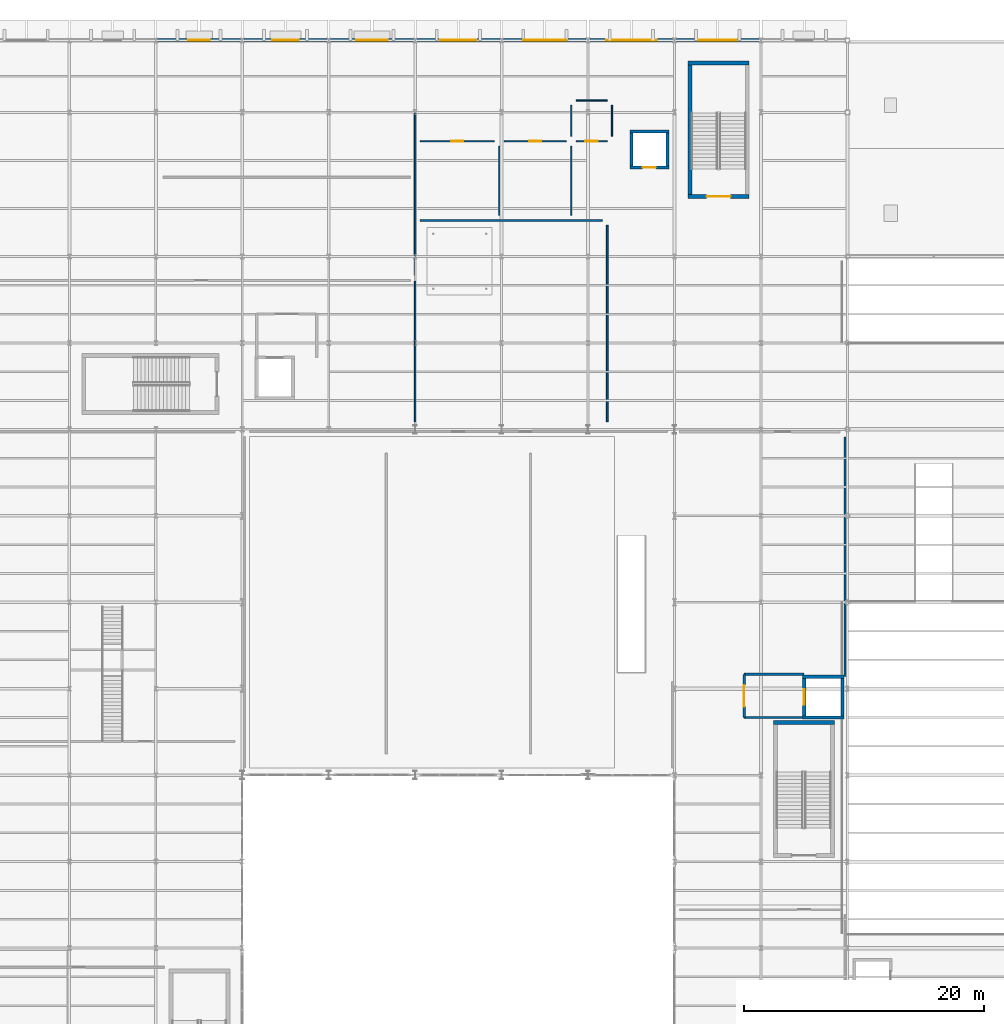
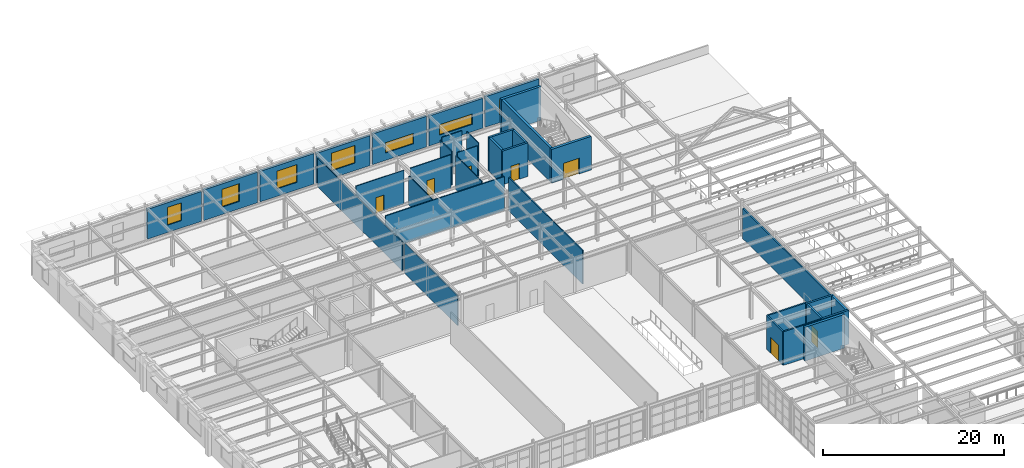
# One storey, part 107 of 126: 35 walls, 7 doors, 7 windows, 14 openings.
"""IFC4 building model written with IfcOpenShell, lengths in metres."""

from ifc_helpers import new_model, si_unit, direction, frame, frame_2d, origin, place, context, subcontext, project, spatial, rectangle, extrude, material, layer, layer_set, type_object, element, fill, save


model = new_model("IFC4")

# Units and contexts
model_context = context("Model", 3, precision=1e-05, world=origin(), true_north=direction((0.0, 1.0)))
body_context = subcontext(model_context, "Body", "Model", "MODEL_VIEW")
ifc_project = project(units=[si_unit("LENGTHUNIT", "METRE"), si_unit("AREAUNIT", "SQUARE_METRE"), si_unit("VOLUMEUNIT", "CUBIC_METRE"), si_unit("PLANEANGLEUNIT", "RADIAN"), si_unit("MASSUNIT", "GRAM", prefix="KILO")], contexts=[model_context])

# Site, building, storey
site_placement = place(None, origin())
site = spatial("IfcSite", under=ifc_project, at=site_placement, CompositionType="ELEMENT")
building_placement = place(site_placement, origin())
building = spatial("IfcBuilding", under=site, at=building_placement, Name="Solvadek Multi-Sports Hall", CompositionType="ELEMENT")
storey_placement = place(building_placement, frame((0.0, 0.0, 9.60009765625)))
storey = spatial("IfcBuildingStorey", under=building, at=storey_placement, Name="L02", CompositionType="ELEMENT", Elevation=9.60009765625)

# Wall, opening, window
ifc_material_1 = material(Name="Dressed honey-cream limestone ashlar", Category="masonry")
ifc_layer_1 = layer(ifc_material_1, 0.300048828125, Name="Dressed honey-cream limestone ashlar")
ifc_layer_set_1 = layer_set([ifc_layer_1], Name="Dressed honey-cream limestone ashlar")
wall_type_1 = type_object("IfcWallType", Name="ENV-WAL-EXT300", PredefinedType="SOLIDWALL", material=ifc_layer_set_1)
wall_1_placement = place(storey_placement, frame((14.553955078125, 110.39990234375, 0.0), z_axis=(0.0, 0.0, 1.0), x_axis=(1.0, 0.0, 0.0)))
wall_1 = element("IfcWall", 1, at=wall_1_placement, inside=storey, type_object=wall_type_1, Name="L02 Exterior Masonry Wall #173", PredefinedType="SOLIDWALL", context=body_context, shape_type="SweptSolid", body=[
    extrude(rectangle(XDim=6.89208984375, YDim=0.300048828125, at=frame_2d((3.446044921875, 0.0))), origin(), (0.0, 0.0, 1.0), 4.044921875),
])
opening_1_placement = place(wall_1_placement, frame((2.5458984375, 0.0, 1.0)))
opening_1 = element("IfcOpeningElement", 2, at=opening_1_placement, cuts=wall_1, Name="Opening WN-17", PredefinedType="OPENING", context=body_context, shape_type="SweptSolid", body=[
    extrude(rectangle(XDim=1.800048828125, YDim=2.39990234375, at=frame_2d((0.89990234375, 1.199951171875))), frame((0.0, 0.159912109375, 0.0), z_axis=(0.0, -1.0, 0.0), x_axis=(1.0, 0.0, 0.0)), (0.0, 0.0, 1.0), 0.320068359375),
])
ifc_material_2 = material(Name="Tempered laminated low-E glass", Category="glass")
window_type_1 = type_object("IfcWindowType", Name="ENV-WIN-WN-17", PartitioningType="SINGLE_PANEL", PredefinedType="WINDOW", material=ifc_material_2)
window_1_placement = place(opening_1_placement, origin())
window_1 = element("IfcWindow", 3, at=window_1_placement, inside=storey, type_object=window_type_1, Name="L02 Facade Window WN-17 #59", OverallHeight=2.39990234375, OverallWidth=1.800048828125, PartitioningType="SINGLE_PANEL", PredefinedType="WINDOW", context=body_context, shape_type="SweptSolid", body=[
    extrude(rectangle(XDim=1.800048828125, YDim=2.39990234375, at=frame_2d((0.89990234375, 1.199951171875))), frame((0.0, 0.030029296875, 0.0), z_axis=(0.0, -1.0, 0.0), x_axis=(1.0, 0.0, 0.0)), (0.0, 0.0, 1.0), 0.06005859375),
])
fill(opening_1, window_1)

wall_2_placement = place(storey_placement, frame((21.75390625, 110.39990234375, 0.0), z_axis=(0.0, 0.0, 1.0), x_axis=(1.0, 0.0, 0.0)))
wall_2 = element("IfcWall", 4, at=wall_2_placement, inside=storey, type_object=wall_type_1, Name="L02 Exterior Masonry Wall #176", PredefinedType="SOLIDWALL", context=body_context, shape_type="SweptSolid", body=[
    extrude(rectangle(XDim=6.89208984375, YDim=0.300048828125, at=frame_2d((3.446044921875, 0.0))), origin(), (0.0, 0.0, 1.0), 4.14501953125),
])
opening_2_placement = place(wall_2_placement, frame((2.345947265625, 0.0, 1.0)))
opening_2 = element("IfcOpeningElement", 5, at=opening_2_placement, cuts=wall_2, Name="Opening WN-18", PredefinedType="OPENING", context=body_context, shape_type="SweptSolid", body=[
    extrude(rectangle(XDim=2.199951171875, YDim=2.39990234375, at=frame_2d((1.10009765625, 1.199951171875))), frame((0.0, 0.159912109375, 0.0), z_axis=(0.0, -1.0, 0.0), x_axis=(1.0, 0.0, 0.0)), (0.0, 0.0, 1.0), 0.320068359375),
])
window_type_2 = type_object("IfcWindowType", Name="ENV-WIN-WN-18", PartitioningType="SINGLE_PANEL", PredefinedType="WINDOW", material=ifc_material_2)
window_2_placement = place(opening_2_placement, origin())
window_2 = element("IfcWindow", 6, at=window_2_placement, inside=storey, type_object=window_type_2, Name="L02 Facade Window WN-18 #62", OverallHeight=2.39990234375, OverallWidth=2.199951171875, PartitioningType="SINGLE_PANEL", PredefinedType="WINDOW", context=body_context, shape_type="SweptSolid", body=[
    extrude(rectangle(XDim=2.199951171875, YDim=2.39990234375, at=frame_2d((1.10009765625, 1.199951171875))), frame((0.0, 0.030029296875, 0.0), z_axis=(0.0, -1.0, 0.0), x_axis=(1.0, 0.0, 0.0)), (0.0, 0.0, 1.0), 0.06005859375),
])
fill(opening_2, window_2)

wall_3_placement = place(storey_placement, frame((28.9541015625, 110.39990234375, 0.0), z_axis=(0.0, 0.0, 1.0), x_axis=(1.0, 0.0, 0.0)))
wall_3 = element("IfcWall", 7, at=wall_3_placement, inside=storey, type_object=wall_type_1, Name="L02 Exterior Masonry Wall #179", PredefinedType="SOLIDWALL", context=body_context, shape_type="SweptSolid", body=[
    extrude(rectangle(XDim=6.891845703125, YDim=0.300048828125, at=frame_2d((3.44580078125, 0.0))), origin(), (0.0, 0.0, 1.0), 4.14501953125),
])
opening_3_placement = place(wall_3_placement, frame((2.14599609375, 0.0, 1.0)))
opening_3 = element("IfcOpeningElement", 8, at=opening_3_placement, cuts=wall_3, Name="Opening WN-19", PredefinedType="OPENING", context=body_context, shape_type="SweptSolid", body=[
    extrude(rectangle(XDim=2.60009765625, YDim=2.39990234375, at=frame_2d((1.300048828125, 1.199951171875))), frame((0.0, 0.159912109375, 0.0), z_axis=(0.0, -1.0, 0.0), x_axis=(1.0, 0.0, 0.0)), (0.0, 0.0, 1.0), 0.320068359375),
])
window_type_3 = type_object("IfcWindowType", Name="ENV-WIN-WN-19", PartitioningType="SINGLE_PANEL", PredefinedType="WINDOW", material=ifc_material_2)
window_3_placement = place(opening_3_placement, origin())
window_3 = element("IfcWindow", 9, at=window_3_placement, inside=storey, type_object=window_type_3, Name="L02 Facade Window WN-19 #65", OverallHeight=2.39990234375, OverallWidth=2.60009765625, PartitioningType="SINGLE_PANEL", PredefinedType="WINDOW", context=body_context, shape_type="SweptSolid", body=[
    extrude(rectangle(XDim=2.60009765625, YDim=2.39990234375, at=frame_2d((1.300048828125, 1.199951171875))), frame((0.0, 0.030029296875, 0.0), z_axis=(0.0, -1.0, 0.0), x_axis=(1.0, 0.0, 0.0)), (0.0, 0.0, 1.0), 0.06005859375),
])
fill(opening_3, window_3)

wall_4_placement = place(storey_placement, frame((36.154052734375, 110.39990234375, 0.0), z_axis=(0.0, 0.0, 1.0), x_axis=(1.0, 0.0, 0.0)))
wall_4 = element("IfcWall", 10, at=wall_4_placement, inside=storey, type_object=wall_type_1, Name="L02 Exterior Masonry Wall #182", PredefinedType="SOLIDWALL", context=body_context, shape_type="SweptSolid", body=[
    extrude(rectangle(XDim=6.891845703125, YDim=0.300048828125, at=frame_2d((3.44580078125, 0.0))), origin(), (0.0, 0.0, 1.0), 4.044921875),
])
opening_4_placement = place(wall_4_placement, frame((1.946044921875, 0.0, 1.0)))
opening_4 = element("IfcOpeningElement", 11, at=opening_4_placement, cuts=wall_4, Name="Opening WN-20", PredefinedType="OPENING", context=body_context, shape_type="SweptSolid", body=[
    extrude(rectangle(XDim=3.0, YDim=2.39990234375, at=frame_2d((1.5, 1.199951171875))), frame((0.0, 0.159912109375, 0.0), z_axis=(0.0, -1.0, 0.0), x_axis=(1.0, 0.0, 0.0)), (0.0, 0.0, 1.0), 0.320068359375),
])
window_type_4 = type_object("IfcWindowType", Name="ENV-WIN-WN-20", PartitioningType="SINGLE_PANEL", PredefinedType="WINDOW", material=ifc_material_2)
window_4_placement = place(opening_4_placement, origin())
window_4 = element("IfcWindow", 12, at=window_4_placement, inside=storey, type_object=window_type_4, Name="L02 Facade Window WN-20 #67", OverallHeight=2.39990234375, OverallWidth=3.0, PartitioningType="SINGLE_PANEL", PredefinedType="WINDOW", context=body_context, shape_type="SweptSolid", body=[
    extrude(rectangle(XDim=3.0, YDim=2.39990234375, at=frame_2d((1.5, 1.199951171875))), frame((0.0, 0.030029296875, 0.0), z_axis=(0.0, -1.0, 0.0), x_axis=(1.0, 0.0, 0.0)), (0.0, 0.0, 1.0), 0.06005859375),
])
fill(opening_4, window_4)

wall_5_placement = place(storey_placement, frame((43.35400390625, 110.39990234375, 0.0), z_axis=(0.0, 0.0, 1.0), x_axis=(1.0, 0.0, 0.0)))
wall_5 = element("IfcWall", 13, at=wall_5_placement, inside=storey, type_object=wall_type_1, Name="L02 Exterior Masonry Wall #185", PredefinedType="SOLIDWALL", context=body_context, shape_type="SweptSolid", body=[
    extrude(rectangle(XDim=6.89208984375, YDim=0.300048828125, at=frame_2d((3.446044921875, 0.0))), origin(), (0.0, 0.0, 1.0), 4.14501953125),
])
opening_5_placement = place(wall_5_placement, frame((1.64599609375, 0.0, 1.0)))
opening_5 = element("IfcOpeningElement", 14, at=opening_5_placement, cuts=wall_5, Name="Opening WN-21", PredefinedType="OPENING", context=body_context, shape_type="SweptSolid", body=[
    extrude(rectangle(XDim=3.60009765625, YDim=1.39990234375, at=frame_2d((1.800048828125, 0.699951171875))), frame((0.0, 0.159912109375, 0.0), z_axis=(0.0, -1.0, 0.0), x_axis=(1.0, 0.0, 0.0)), (0.0, 0.0, 1.0), 0.320068359375),
])
window_type_5 = type_object("IfcWindowType", Name="ENV-WIN-WN-21", PartitioningType="SINGLE_PANEL", PredefinedType="WINDOW", material=ifc_material_2)
window_5_placement = place(opening_5_placement, origin())
window_5 = element("IfcWindow", 15, at=window_5_placement, inside=storey, type_object=window_type_5, Name="L02 Facade Window WN-21 #70", OverallHeight=1.39990234375, OverallWidth=3.60009765625, PartitioningType="SINGLE_PANEL", PredefinedType="WINDOW", context=body_context, shape_type="SweptSolid", body=[
    extrude(rectangle(XDim=3.60009765625, YDim=1.39990234375, at=frame_2d((1.800048828125, 0.699951171875))), frame((0.0, 0.030029296875, 0.0), z_axis=(0.0, -1.0, 0.0), x_axis=(1.0, 0.0, 0.0)), (0.0, 0.0, 1.0), 0.06005859375),
])
fill(opening_5, window_5)

wall_6_placement = place(storey_placement, frame((50.553955078125, 110.39990234375, 0.0), z_axis=(0.0, 0.0, 1.0), x_axis=(1.0, 0.0, 0.0)))
wall_6 = element("IfcWall", 16, at=wall_6_placement, inside=storey, type_object=wall_type_1, Name="L02 Exterior Masonry Wall #188", PredefinedType="SOLIDWALL", context=body_context, shape_type="SweptSolid", body=[
    extrude(rectangle(XDim=6.89208984375, YDim=0.300048828125, at=frame_2d((3.446044921875, 0.0))), origin(), (0.0, 0.0, 1.0), 4.044921875),
])
opening_6_placement = place(wall_6_placement, frame((1.345947265625, 0.0, 1.0)))
opening_6 = element("IfcOpeningElement", 17, at=opening_6_placement, cuts=wall_6, Name="Opening WN-22", PredefinedType="OPENING", context=body_context, shape_type="SweptSolid", body=[
    extrude(rectangle(XDim=4.199951171875, YDim=1.39990234375, at=frame_2d((2.10009765625, 0.699951171875))), frame((0.0, 0.159912109375, 0.0), z_axis=(0.0, -1.0, 0.0), x_axis=(1.0, 0.0, 0.0)), (0.0, 0.0, 1.0), 0.320068359375),
])
window_type_6 = type_object("IfcWindowType", Name="ENV-WIN-WN-22", PartitioningType="SINGLE_PANEL", PredefinedType="WINDOW", material=ifc_material_2)
window_6_placement = place(opening_6_placement, origin())
window_6 = element("IfcWindow", 18, at=window_6_placement, inside=storey, type_object=window_type_6, Name="L02 Facade Window WN-22 #73", OverallHeight=1.39990234375, OverallWidth=4.199951171875, PartitioningType="SINGLE_PANEL", PredefinedType="WINDOW", context=body_context, shape_type="SweptSolid", body=[
    extrude(rectangle(XDim=4.199951171875, YDim=1.39990234375, at=frame_2d((2.10009765625, 0.699951171875))), frame((0.0, 0.030029296875, 0.0), z_axis=(0.0, -1.0, 0.0), x_axis=(1.0, 0.0, 0.0)), (0.0, 0.0, 1.0), 0.06005859375),
])
fill(opening_6, window_6)

wall_7_placement = place(storey_placement, frame((57.75390625, 110.39990234375, 0.0), z_axis=(0.0, 0.0, 1.0), x_axis=(1.0, 0.0, 0.0)))
wall_7 = element("IfcWall", 19, at=wall_7_placement, inside=storey, type_object=wall_type_1, Name="L02 Exterior Masonry Wall #191", PredefinedType="SOLIDWALL", context=body_context, shape_type="SweptSolid", body=[
    extrude(rectangle(XDim=6.89208984375, YDim=0.300048828125, at=frame_2d((3.446044921875, 0.0))), origin(), (0.0, 0.0, 1.0), 4.14501953125),
])
opening_7_placement = place(wall_7_placement, frame((1.845947265625, 0.0, 1.0)))
opening_7 = element("IfcOpeningElement", 20, at=opening_7_placement, cuts=wall_7, Name="Opening WN-15", PredefinedType="OPENING", context=body_context, shape_type="SweptSolid", body=[
    extrude(rectangle(XDim=3.199951171875, YDim=2.10009765625, at=frame_2d((1.60009765625, 1.050048828125))), frame((0.0, 0.159912109375, 0.0), z_axis=(0.0, -1.0, 0.0), x_axis=(1.0, 0.0, 0.0)), (0.0, 0.0, 1.0), 0.320068359375),
])
window_type_7 = type_object("IfcWindowType", Name="ENV-WIN-WN-15", PartitioningType="SINGLE_PANEL", PredefinedType="WINDOW", material=ifc_material_2)
window_7_placement = place(opening_7_placement, origin())
window_7 = element("IfcWindow", 21, at=window_7_placement, inside=storey, type_object=window_type_7, Name="L02 Facade Window WN-15 #75", OverallHeight=2.10009765625, OverallWidth=3.199951171875, PartitioningType="SINGLE_PANEL", PredefinedType="WINDOW", context=body_context, shape_type="SweptSolid", body=[
    extrude(rectangle(XDim=3.199951171875, YDim=2.10009765625, at=frame_2d((1.60009765625, 1.050048828125))), frame((0.0, 0.030029296875, 0.0), z_axis=(0.0, -1.0, 0.0), x_axis=(1.0, 0.0, 0.0)), (0.0, 0.0, 1.0), 0.06005859375),
])
fill(opening_7, window_7)

# Wall, opening, door
ifc_material_3 = material(Name="Autoclaved aerated concrete blockwork", Category="masonry")
ifc_layer_2 = layer(ifc_material_3, 0.10498046875, Name="Autoclaved aerated concrete blockwork")
ifc_layer_set_2 = layer_set([ifc_layer_2], Name="Autoclaved aerated concrete blockwork")
wall_type_2 = type_object("IfcWallType", Name="INT-WAL-PRT105", PredefinedType="PARTITIONING", material=ifc_layer_set_2)
wall_8_placement = place(storey_placement, frame((36.425048828125, 102.0, 0.0), z_axis=(0.0, 0.0, 1.0), x_axis=(1.0, 0.0, 0.0)))
wall_8 = element("IfcWall", 22, at=wall_8_placement, inside=storey, type_object=wall_type_2, Name="L02 Partition Wall L02-09 N", PredefinedType="PARTITIONING", context=body_context, shape_type="SweptSolid", body=[
    extrude(rectangle(XDim=6.155029296875, YDim=0.10498046875, at=frame_2d((3.07763671875, 0.0))), origin(), (0.0, 0.0, 1.0), 4.544921875),
])
opening_8_placement = place(wall_8_placement, frame((2.574951171875, 0.0, 0.0)))
opening_8 = element("IfcOpeningElement", 23, at=opening_8_placement, cuts=wall_8, Name="Opening D-01", PredefinedType="OPENING", context=body_context, shape_type="SweptSolid", body=[
    extrude(rectangle(XDim=1.0, YDim=2.10009765625, at=frame_2d((0.5, 1.050048828125))), frame((0.0, 0.0625, 0.0), z_axis=(0.0, -1.0, 0.0), x_axis=(1.0, 0.0, 0.0)), (0.0, 0.0, 1.0), 0.125),
])
ifc_material_4 = material(Name="Teak hardwood timber", Category="wood")
door_type_1 = type_object("IfcDoorType", Name="INT-DOR-RM100X210", OperationType="NOTDEFINED", PredefinedType="DOOR", material=ifc_material_4)
door_1_placement = place(opening_8_placement, frame((1.0, 0.0, 0.0), z_axis=(0.0, 0.0, 1.0), x_axis=(-1.0, 0.0, 0.0)))
door_1 = element("IfcDoor", 24, at=door_1_placement, inside=storey, type_object=door_type_1, Name="L02 L02-09 Door #13", OperationType="SINGLE_SWING_RIGHT", OverallHeight=2.10009765625, OverallWidth=1.0, PredefinedType="DOOR", context=body_context, shape_type="SweptSolid", body=[
    extrude(rectangle(XDim=1.0, YDim=2.10009765625, at=frame_2d((0.5, 1.050048828125))), frame((0.0, 0.02490234375, 0.0), z_axis=(0.0, -1.0, 0.0), x_axis=(1.0, 0.0, 0.0)), (0.0, 0.0, 1.0), 0.050048828125),
])
fill(opening_8, door_1)

# Wall
wall_9_placement = place(storey_placement, frame((43.0, 95.824951171875, 0.0), z_axis=(0.0, 0.0, 1.0), x_axis=(0.0, 1.0, 0.0)))
element("IfcWall", 25, at=wall_9_placement, inside=storey, type_object=wall_type_2, Name="L02 Partition Wall L02-09 E", PredefinedType="PARTITIONING", context=body_context, shape_type="SweptSolid", body=[
    extrude(rectangle(XDim=5.755126953125, YDim=0.10498046875, at=frame_2d((2.87744140625, 0.0))), origin(), (0.0, 0.0, 1.0), 3.889892578125),
])

# Wall, opening, door
wall_10_placement = place(storey_placement, frame((43.425048828125, 102.0, 0.0), z_axis=(0.0, 0.0, 1.0), x_axis=(1.0, 0.0, 0.0)))
wall_10 = element("IfcWall", 26, at=wall_10_placement, inside=storey, type_object=wall_type_2, Name="L02 Partition Wall L02-10 N", PredefinedType="PARTITIONING", context=body_context, shape_type="SweptSolid", body=[
    extrude(rectangle(XDim=5.155029296875, YDim=0.10498046875, at=frame_2d((2.57763671875, 0.0))), origin(), (0.0, 0.0, 1.0), 4.544921875),
])
opening_9_placement = place(wall_10_placement, frame((2.074951171875, 0.0, 0.0)))
opening_9 = element("IfcOpeningElement", 27, at=opening_9_placement, cuts=wall_10, Name="Opening D-01", PredefinedType="OPENING", context=body_context, shape_type="SweptSolid", body=[
    extrude(rectangle(XDim=1.0, YDim=2.10009765625, at=frame_2d((0.5, 1.050048828125))), frame((0.0, 0.0625, 0.0), z_axis=(0.0, -1.0, 0.0), x_axis=(1.0, 0.0, 0.0)), (0.0, 0.0, 1.0), 0.125),
])
door_2_placement = place(opening_9_placement, frame((1.0, 0.0, 0.0), z_axis=(0.0, 0.0, 1.0), x_axis=(-1.0, 0.0, 0.0)))
door_2 = element("IfcDoor", 28, at=door_2_placement, inside=storey, type_object=door_type_1, Name="L02 L02-10 Door #14", OperationType="SINGLE_SWING_LEFT", OverallHeight=2.10009765625, OverallWidth=1.0, PredefinedType="DOOR", context=body_context, shape_type="SweptSolid", body=[
    extrude(rectangle(XDim=1.0, YDim=2.10009765625, at=frame_2d((0.5, 1.050048828125))), frame((0.0, 0.02490234375, 0.0), z_axis=(0.0, -1.0, 0.0), x_axis=(1.0, 0.0, 0.0)), (0.0, 0.0, 1.0), 0.050048828125),
])
fill(opening_9, door_2)

# Wall
wall_11_placement = place(storey_placement, frame((49.0, 95.824951171875, 0.0), z_axis=(0.0, 0.0, 1.0), x_axis=(0.0, 1.0, 0.0)))
element("IfcWall", 29, at=wall_11_placement, inside=storey, type_object=wall_type_2, Name="L02 Partition Wall L02-10 E", PredefinedType="PARTITIONING", context=body_context, shape_type="SweptSolid", body=[
    extrude(rectangle(XDim=5.755126953125, YDim=0.10498046875, at=frame_2d((2.87744140625, 0.0))), origin(), (0.0, 0.0, 1.0), 4.544921875),
])

# Wall, opening, door
wall_12_placement = place(storey_placement, frame((49.419921875, 102.0, 0.0), z_axis=(0.0, 0.0, 1.0), x_axis=(1.0, 0.0, 0.0)))
wall_12 = element("IfcWall", 30, at=wall_12_placement, inside=storey, type_object=wall_type_2, Name="L02 Partition Wall L02-11 S", PredefinedType="PARTITIONING", context=body_context, shape_type="SweptSolid", body=[
    extrude(rectangle(XDim=2.56005859375, YDim=0.10498046875, at=frame_2d((1.280029296875, 0.0))), origin(), (0.0, 0.0, 1.0), 4.544921875),
])
opening_10_placement = place(wall_12_placement, frame((0.7548828125, 0.0, 0.0)))
opening_10 = element("IfcOpeningElement", 31, at=opening_10_placement, cuts=wall_12, Name="Opening D-ACC", PredefinedType="OPENING", context=body_context, shape_type="SweptSolid", body=[
    extrude(rectangle(XDim=1.050048828125, YDim=2.14990234375, at=frame_2d((0.52490234375, 1.074951171875))), frame((0.0, 0.0625, 0.0), z_axis=(0.0, -1.0, 0.0), x_axis=(1.0, 0.0, 0.0)), (0.0, 0.0, 1.0), 0.125),
])
door_type_2 = type_object("IfcDoorType", Name="INT-DOR-ACC105X215", OperationType="NOTDEFINED", PredefinedType="DOOR", material=ifc_material_4)
door_3_placement = place(opening_10_placement, origin())
door_3 = element("IfcDoor", 32, at=door_3_placement, inside=storey, type_object=door_type_2, Name="L02 L02-11 Door #54", OperationType="SINGLE_SWING_LEFT", OverallHeight=2.14990234375, OverallWidth=1.050048828125, PredefinedType="DOOR", context=body_context, shape_type="SweptSolid", body=[
    extrude(rectangle(XDim=1.050048828125, YDim=2.14990234375, at=frame_2d((0.52490234375, 1.074951171875))), frame((0.0, 0.02490234375, 0.0), z_axis=(0.0, -1.0, 0.0), x_axis=(1.0, 0.0, 0.0)), (0.0, 0.0, 1.0), 0.050048828125),
])
fill(opening_10, door_3)

# Walls
for number, where, z_axis, x_axis, name in (
    (33, (49.419921875, 105.39990234375, 0.0), (0.0, 0.0, 1.0), (1.0, 0.0, 0.0), "L02 Partition Wall L02-11 N"),
    (34, (49.0, 102.419921875, 0.0), (0.0, 0.0, 1.0), (0.0, 1.0, 0.0), "L02 Partition Wall L02-11 W"),
    (35, (52.39990234375, 102.419921875, 0.0), (0.0, 0.0, 1.0), (0.0, 1.0, 0.0), "L02 Partition Wall L02-11 E"),
):
    element("IfcWall", number, at=place(storey_placement, frame(where, z_axis=z_axis, x_axis=x_axis)), inside=storey, type_object=wall_type_2, Name=name, PredefinedType="PARTITIONING", context=body_context, shape_type="SweptSolid", body=[
        extrude(rectangle(XDim=2.56005859375, YDim=0.10498046875, at=frame_2d((1.280029296875, 0.0))), origin(), (0.0, 0.0, 1.0), 4.544921875),
    ])
ifc_layer_3 = layer(ifc_material_3, 0.135009765625, Name="Autoclaved aerated concrete blockwork")
ifc_layer_set_3 = layer_set([ifc_layer_3], Name="Autoclaved aerated concrete blockwork")
wall_type_3 = type_object("IfcWallType", Name="INT-WAL-PRT135", PredefinedType="PARTITIONING", material=ifc_layer_set_3)
wall_13_placement = place(storey_placement, frame((36.0, 90.820068359375, 0.0), z_axis=(0.0, 0.0, 1.0), x_axis=(0.0, 1.0, 0.0)))
element("IfcWall", 36, at=wall_13_placement, inside=storey, type_object=wall_type_3, Name="L02 Partition Wall L02-07 E", PredefinedType="PARTITIONING", context=body_context, shape_type="SweptSolid", body=[
    extrude(rectangle(XDim=18.760009765625, YDim=0.135009765625, at=frame_2d((9.3798828125, 0.0))), origin(), (0.0, 0.0, 1.0), 3.889892578125),
])
wall_14_placement = place(storey_placement, frame((36.419921875, 95.39990234375, 0.0), z_axis=(0.0, 0.0, 1.0), x_axis=(1.0, 0.0, 0.0)))
element("IfcWall", 37, at=wall_14_placement, inside=storey, type_object=wall_type_3, Name="L02 Partition Wall L02-08 N", PredefinedType="PARTITIONING", context=body_context, shape_type="SweptSolid", body=[
    extrude(rectangle(XDim=15.16015625, YDim=0.135009765625, at=frame_2d((7.580078125, 0.0))), origin(), (0.0, 0.0, 1.0), 4.544921875),
])
wall_15_placement = place(storey_placement, frame((36.0, 78.6201171875, 0.0), z_axis=(0.0, 0.0, 1.0), x_axis=(0.0, 1.0, 0.0)))
element("IfcWall", 38, at=wall_15_placement, inside=storey, type_object=wall_type_3, Name="L02 Partition Wall L02-08 W", PredefinedType="PARTITIONING", context=body_context, shape_type="SweptSolid", body=[
    extrude(rectangle(XDim=11.719970703125, YDim=0.135009765625, at=frame_2d((5.85986328125, 0.0))), origin(), (0.0, 0.0, 1.0), 4.08984375),
])
wall_16_placement = place(storey_placement, frame((52.0, 78.6201171875, 0.0), z_axis=(0.0, 0.0, 1.0), x_axis=(0.0, 1.0, 0.0)))
element("IfcWall", 39, at=wall_16_placement, inside=storey, type_object=wall_type_3, Name="L02 Partition Wall L02-08 E", PredefinedType="PARTITIONING", context=body_context, shape_type="SweptSolid", body=[
    extrude(rectangle(XDim=16.35986328125, YDim=0.135009765625, at=frame_2d((8.179931640625, 0.0))), origin(), (0.0, 0.0, 1.0), 4.544921875),
])

# Wall, opening, door
ifc_layer_4 = layer(ifc_material_3, 0.179931640625, Name="Autoclaved aerated concrete blockwork")
ifc_layer_set_4 = layer_set([ifc_layer_4], Name="Autoclaved aerated concrete blockwork")
wall_type_4 = type_object("IfcWallType", Name="INT-WAL-PRT180", PredefinedType="PARTITIONING", material=ifc_layer_set_4)
wall_17_placement = place(storey_placement, frame((63.39990234375, 54.0, 0.0), z_axis=(0.0, 0.0, 1.0), x_axis=(0.0, 1.0, 0.0)))
wall_17 = element("IfcWall", 40, at=wall_17_placement, inside=storey, type_object=wall_type_4, Name="L02 Firefighting Lobby LF-02 Rated Wall W", PredefinedType="PARTITIONING", context=body_context, shape_type="SweptSolid", body=[
    extrude(rectangle(XDim=3.60009765625, YDim=0.179931640625, at=frame_2d((1.800048828125, 0.0))), origin(), (0.0, 0.0, 1.0), 4.544921875),
])
opening_11_placement = place(wall_17_placement, frame((0.89990234375, 0.0, 0.0)))
opening_11 = element("IfcOpeningElement", 41, at=opening_11_placement, cuts=wall_17, Name="Opening FD120B", PredefinedType="OPENING", context=body_context, shape_type="SweptSolid", body=[
    extrude(rectangle(XDim=1.800048828125, YDim=2.14990234375, at=frame_2d((0.89990234375, 1.074951171875))), frame((0.0, 0.099853515625, 0.0), z_axis=(0.0, -1.0, 0.0), x_axis=(1.0, 0.0, 0.0)), (0.0, 0.0, 1.0), 0.199951171875),
])
ifc_material_5 = material(Name="Steel E250 (250 MPa)", Category="steel")
door_type_3 = type_object("IfcDoorType", Name="INT-DOR-FD180X215", OperationType="DOUBLE_DOOR_SINGLE_SWING", PredefinedType="DOOR", material=ifc_material_5)
door_4_placement = place(opening_11_placement, origin())
door_4 = element("IfcDoor", 42, at=door_4_placement, inside=storey, type_object=door_type_3, Name="L02 Firefighting Lobby LF-02 Fire Door", OperationType="DOUBLE_DOOR_SINGLE_SWING", OverallHeight=2.14990234375, OverallWidth=1.800048828125, PredefinedType="DOOR", context=body_context, shape_type="SweptSolid", body=[
    extrude(rectangle(XDim=1.800048828125, YDim=2.14990234375, at=frame_2d((0.89990234375, 1.074951171875))), frame((0.0, 0.02490234375, 0.0), z_axis=(0.0, -1.0, 0.0), x_axis=(1.0, 0.0, 0.0)), (0.0, 0.0, 1.0), 0.050048828125),
])
fill(opening_11, door_4)

# Walls
for number, where, z_axis, x_axis, name in (
    (43, (63.39990234375, 54.0, 0.0), (0.0, 0.0, 1.0), (1.0, 0.0, 0.0), "L02 Firefighting Lobby LF-02 Rated Wall S"),
    (44, (63.39990234375, 57.60009765625, 0.0), (0.0, 0.0, 1.0), (1.0, 0.0, 0.0), "L02 Firefighting Lobby LF-02 Rated Wall N"),
):
    element("IfcWall", number, at=place(storey_placement, frame(where, z_axis=z_axis, x_axis=x_axis)), inside=storey, type_object=wall_type_4, Name=name, PredefinedType="PARTITIONING", context=body_context, shape_type="SweptSolid", body=[
        extrude(rectangle(XDim=5.0, YDim=0.179931640625, at=frame_2d((2.5, 0.0))), origin(), (0.0, 0.0, 1.0), 4.544921875),
    ])
wall_18_placement = place(storey_placement, frame((71.800048828125, 57.419921875, 0.0), z_axis=(0.0, 0.0, 1.0), x_axis=(0.0, 1.0, 0.0)))
element("IfcWall", 45, at=wall_18_placement, inside=storey, type_object=wall_type_4, Name="L02 Partition Wall L02-02 E", PredefinedType="PARTITIONING", context=body_context, shape_type="SweptSolid", body=[
    extrude(rectangle(XDim=19.9599609375, YDim=0.179931640625, at=frame_2d((9.97998046875, 0.0))), origin(), (0.0, 0.0, 1.0), 4.08984375),
])
ifc_material_6 = material(Name="Concrete M40", Category="concrete")
ifc_layer_5 = layer(ifc_material_6, 0.260009765625, Name="Concrete M40")
ifc_layer_set_5 = layer_set([ifc_layer_5], Name="Concrete M40")
wall_type_5 = type_object("IfcWallType", Name="INT-WAL-SHR260", PredefinedType="SHEAR", material=ifc_layer_set_5)
for number, where, z_axis, x_axis, name in (
    (46, (68.27001953125, 54.0, 0.0), (0.0, 0.0, 1.0), (1.0, 0.0, 0.0), "Lift LF-02 Shaft Shear Wall L02 south"),
    (47, (68.27001953125, 57.39990234375, 0.0), (0.0, 0.0, 1.0), (1.0, 0.0, 0.0), "Lift LF-02 Shaft Shear Wall L02 north"),
):
    element("IfcWall", number, at=place(storey_placement, frame(where, z_axis=z_axis, x_axis=x_axis)), inside=storey, type_object=wall_type_5, Name=name, PredefinedType="SHEAR", context=body_context, shape_type="SweptSolid", body=[
        extrude(rectangle(XDim=3.4599609375, YDim=0.260009765625, at=frame_2d((1.72998046875, 0.0))), origin(), (0.0, 0.0, 1.0), 4.559814453125),
    ])

# Wall, opening, door
wall_19_placement = place(storey_placement, frame((68.39990234375, 54.1298828125, 0.0), z_axis=(0.0, 0.0, 1.0), x_axis=(0.0, 1.0, 0.0)))
wall_19 = element("IfcWall", 48, at=wall_19_placement, inside=storey, type_object=wall_type_5, Name="Lift LF-02 Shaft Shear Wall L02 west", PredefinedType="SHEAR", context=body_context, shape_type="SweptSolid", body=[
    extrude(rectangle(XDim=3.14013671875, YDim=0.260009765625, at=frame_2d((1.570068359375, 0.0))), origin(), (0.0, 0.0, 1.0), 4.559814453125),
])
opening_12_placement = place(wall_19_placement, frame((0.919921875, 0.0, 0.0)))
opening_12 = element("IfcOpeningElement", 49, at=opening_12_placement, cuts=wall_19, Name="Opening LD-09", PredefinedType="OPENING", context=body_context, shape_type="SweptSolid", body=[
    extrude(rectangle(XDim=1.300048828125, YDim=2.199951171875, at=frame_2d((0.64990234375, 1.10009765625))), frame((0.0, 0.139892578125, 0.0), z_axis=(0.0, -1.0, 0.0), x_axis=(1.0, 0.0, 0.0)), (0.0, 0.0, 1.0), 0.280029296875),
])
ifc_material_7 = material(Name="Anodised aluminium", Category="aluminium")
door_type_4 = type_object("IfcDoorType", Name="INT-DOR-LD130X220", OperationType="DOUBLE_DOOR_SLIDING", PredefinedType="DOOR", material=ifc_material_7)
door_5_placement = place(opening_12_placement, origin())
door_5 = element("IfcDoor", 50, at=door_5_placement, inside=storey, type_object=door_type_4, Name="L02 Lift LF-02 Sliding Landing Door LD-09", OperationType="DOUBLE_DOOR_SLIDING", OverallHeight=2.199951171875, OverallWidth=1.300048828125, PredefinedType="DOOR", context=body_context, shape_type="SweptSolid", body=[
    extrude(rectangle(XDim=1.300048828125, YDim=2.199951171875, at=frame_2d((0.64990234375, 1.10009765625))), frame((0.0, 0.02490234375, 0.0), z_axis=(0.0, -1.0, 0.0), x_axis=(1.0, 0.0, 0.0)), (0.0, 0.0, 1.0), 0.050048828125),
])
fill(opening_12, door_5)

# Wall
wall_20_placement = place(storey_placement, frame((71.60009765625, 54.1298828125, 0.0), z_axis=(0.0, 0.0, 1.0), x_axis=(0.0, 1.0, 0.0)))
element("IfcWall", 51, at=wall_20_placement, inside=storey, type_object=wall_type_5, Name="Lift LF-02 Shaft Shear Wall L02 east", PredefinedType="SHEAR", context=body_context, shape_type="SweptSolid", body=[
    extrude(rectangle(XDim=3.14013671875, YDim=0.260009765625, at=frame_2d((1.570068359375, 0.0))), origin(), (0.0, 0.0, 1.0), 4.559814453125),
])

# Wall, opening, door
wall_21_placement = place(storey_placement, frame((53.8701171875, 99.800048828125, 0.0), z_axis=(0.0, 0.0, 1.0), x_axis=(1.0, 0.0, 0.0)))
wall_21 = element("IfcWall", 52, at=wall_21_placement, inside=storey, type_object=wall_type_5, Name="Lift LP-01 Shaft Shear Wall L02 south", PredefinedType="SHEAR", context=body_context, shape_type="SweptSolid", body=[
    extrude(rectangle(XDim=3.259765625, YDim=0.260009765625, at=frame_2d((1.6298828125, 0.0))), origin(), (0.0, 0.0, 1.0), 4.559814453125),
])
opening_13_placement = place(wall_21_placement, frame((1.080078125, 0.0, 0.0)))
opening_13 = element("IfcOpeningElement", 53, at=opening_13_placement, cuts=wall_21, Name="Opening LD-14", PredefinedType="OPENING", context=body_context, shape_type="SweptSolid", body=[
    extrude(rectangle(XDim=1.10009765625, YDim=2.14990234375, at=frame_2d((0.550048828125, 1.074951171875))), frame((0.0, 0.139892578125, 0.0), z_axis=(0.0, -1.0, 0.0), x_axis=(1.0, 0.0, 0.0)), (0.0, 0.0, 1.0), 0.280029296875),
])
door_type_5 = type_object("IfcDoorType", Name="INT-DOR-LD110X215", OperationType="DOUBLE_DOOR_SLIDING", PredefinedType="DOOR", material=ifc_material_7)
door_6_placement = place(opening_13_placement, origin())
door_6 = element("IfcDoor", 54, at=door_6_placement, inside=storey, type_object=door_type_5, Name="L02 Lift LP-01 Sliding Landing Door LD-14", OperationType="DOUBLE_DOOR_SLIDING", OverallHeight=2.14990234375, OverallWidth=1.10009765625, PredefinedType="DOOR", context=body_context, shape_type="SweptSolid", body=[
    extrude(rectangle(XDim=1.10009765625, YDim=2.14990234375, at=frame_2d((0.550048828125, 1.074951171875))), frame((0.0, 0.02490234375, 0.0), z_axis=(0.0, -1.0, 0.0), x_axis=(1.0, 0.0, 0.0)), (0.0, 0.0, 1.0), 0.050048828125),
])
fill(opening_13, door_6)

# Walls
wall_22_placement = place(storey_placement, frame((53.8701171875, 102.800048828125, 0.0), z_axis=(0.0, 0.0, 1.0), x_axis=(1.0, 0.0, 0.0)))
element("IfcWall", 55, at=wall_22_placement, inside=storey, type_object=wall_type_5, Name="Lift LP-01 Shaft Shear Wall L02 north", PredefinedType="SHEAR", context=body_context, shape_type="SweptSolid", body=[
    extrude(rectangle(XDim=3.259765625, YDim=0.260009765625, at=frame_2d((1.6298828125, 0.0))), origin(), (0.0, 0.0, 1.0), 4.559814453125),
])
for number, where, z_axis, x_axis, name in (
    (56, (54.0, 99.929931640625, 0.0), (0.0, 0.0, 1.0), (0.0, 1.0, 0.0), "Lift LP-01 Shaft Shear Wall L02 west"),
    (57, (57.0, 99.929931640625, 0.0), (0.0, 0.0, 1.0), (0.0, 1.0, 0.0), "Lift LP-01 Shaft Shear Wall L02 east"),
):
    element("IfcWall", number, at=place(storey_placement, frame(where, z_axis=z_axis, x_axis=x_axis)), inside=storey, type_object=wall_type_5, Name=name, PredefinedType="SHEAR", context=body_context, shape_type="SweptSolid", body=[
        extrude(rectangle(XDim=2.739990234375, YDim=0.260009765625, at=frame_2d((1.3701171875, 0.0))), origin(), (0.0, 0.0, 1.0), 4.559814453125),
    ])

# Wall, opening, door
ifc_layer_6 = layer(ifc_material_6, 0.320068359375, Name="Concrete M40")
ifc_layer_set_6 = layer_set([ifc_layer_6], Name="Concrete M40")
wall_type_6 = type_object("IfcWallType", Name="INT-WAL-SHR320", PredefinedType="SHEAR", material=ifc_layer_set_6)
wall_23_placement = place(storey_placement, frame((58.739990234375, 97.39990234375, 0.0), z_axis=(0.0, 0.0, 1.0), x_axis=(1.0, 0.0, 0.0)))
wall_23 = element("IfcWall", 58, at=wall_23_placement, inside=storey, type_object=wall_type_6, Name="L02 Stair ST-03 Shear Wall S", PredefinedType="SHEAR", context=body_context, shape_type="SweptSolid", body=[
    extrude(rectangle(XDim=5.070068359375, YDim=0.320068359375, at=frame_2d((2.53515625, 0.0))), origin(), (0.0, 0.0, 1.0), 4.559814453125),
])
opening_14_placement = place(wall_23_placement, frame((1.534912109375, 0.0, 0.0)))
opening_14 = element("IfcOpeningElement", 59, at=opening_14_placement, cuts=wall_23, Name="Opening FD120", PredefinedType="OPENING", context=body_context, shape_type="SweptSolid", body=[
    extrude(rectangle(XDim=2.0, YDim=2.14990234375, at=frame_2d((1.0, 1.074951171875))), frame((0.0, 0.169921875, 0.0), z_axis=(0.0, -1.0, 0.0), x_axis=(1.0, 0.0, 0.0)), (0.0, 0.0, 1.0), 0.340087890625),
])
door_type_6 = type_object("IfcDoorType", Name="INT-DOR-FD200X215", OperationType="DOUBLE_DOOR_SINGLE_SWING", PredefinedType="DOOR", material=ifc_material_5)
door_7_placement = place(opening_14_placement, origin())
door_7 = element("IfcDoor", 60, at=door_7_placement, inside=storey, type_object=door_type_6, Name="L02 Stair ST-03 Fire Door", OperationType="DOUBLE_DOOR_SINGLE_SWING", OverallHeight=2.14990234375, OverallWidth=2.0, PredefinedType="DOOR", context=body_context, shape_type="SweptSolid", body=[
    extrude(rectangle(XDim=2.0, YDim=2.14990234375, at=frame_2d((1.0, 1.074951171875))), frame((0.0, 0.02490234375, 0.0), z_axis=(0.0, -1.0, 0.0), x_axis=(1.0, 0.0, 0.0)), (0.0, 0.0, 1.0), 0.050048828125),
])
fill(opening_14, door_7)

# Walls
wall_24_placement = place(storey_placement, frame((58.739990234375, 108.5, 0.0), z_axis=(0.0, 0.0, 1.0), x_axis=(1.0, 0.0, 0.0)))
element("IfcWall", 61, at=wall_24_placement, inside=storey, type_object=wall_type_6, Name="L02 Stair ST-03 Shear Wall N", PredefinedType="SHEAR", context=body_context, shape_type="SweptSolid", body=[
    extrude(rectangle(XDim=5.070068359375, YDim=0.320068359375, at=frame_2d((2.53515625, 0.0))), origin(), (0.0, 0.0, 1.0), 4.559814453125),
])
wall_25_placement = place(storey_placement, frame((58.89990234375, 97.56005859375, 0.0), z_axis=(0.0, 0.0, 1.0), x_axis=(0.0, 1.0, 0.0)))
element("IfcWall", 62, at=wall_25_placement, inside=storey, type_object=wall_type_6, Name="L02 Stair ST-03 Shear Wall W", PredefinedType="SHEAR", context=body_context, shape_type="SweptSolid", body=[
    extrude(rectangle(XDim=10.780029296875, YDim=0.320068359375, at=frame_2d((5.39013671875, 0.0))), origin(), (0.0, 0.0, 1.0), 4.559814453125),
])
wall_26_placement = place(storey_placement, frame((65.840087890625, 53.60009765625, 0.0), z_axis=(0.0, 0.0, 1.0), x_axis=(1.0, 0.0, 0.0)))
element("IfcWall", 63, at=wall_26_placement, inside=storey, type_object=wall_type_6, Name="L02 Stair ST-04 Shear Wall N", PredefinedType="SHEAR", context=body_context, shape_type="SweptSolid", body=[
    extrude(rectangle(XDim=5.06982421875, YDim=0.320068359375, at=frame_2d((2.534912109375, 0.0))), origin(), (0.0, 0.0, 1.0), 4.559814453125),
])

save(model, "model.ifc")
